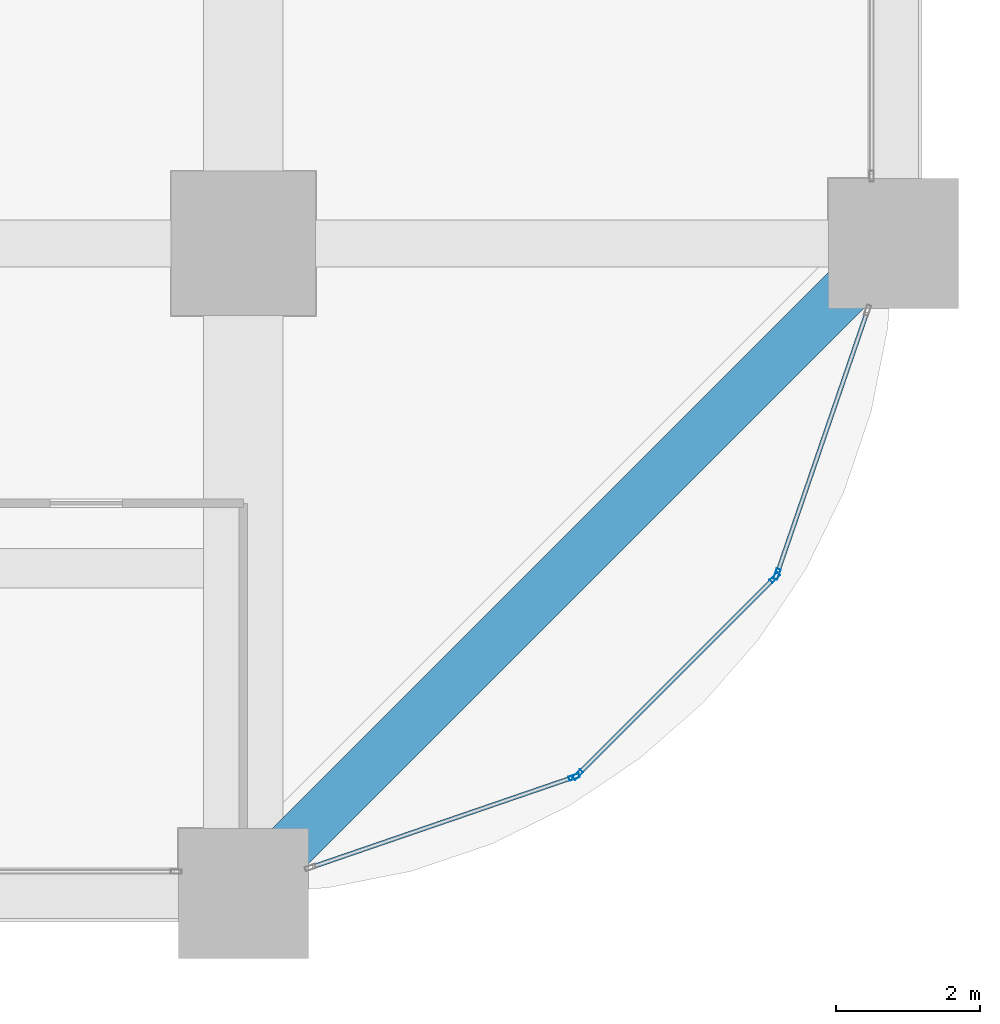
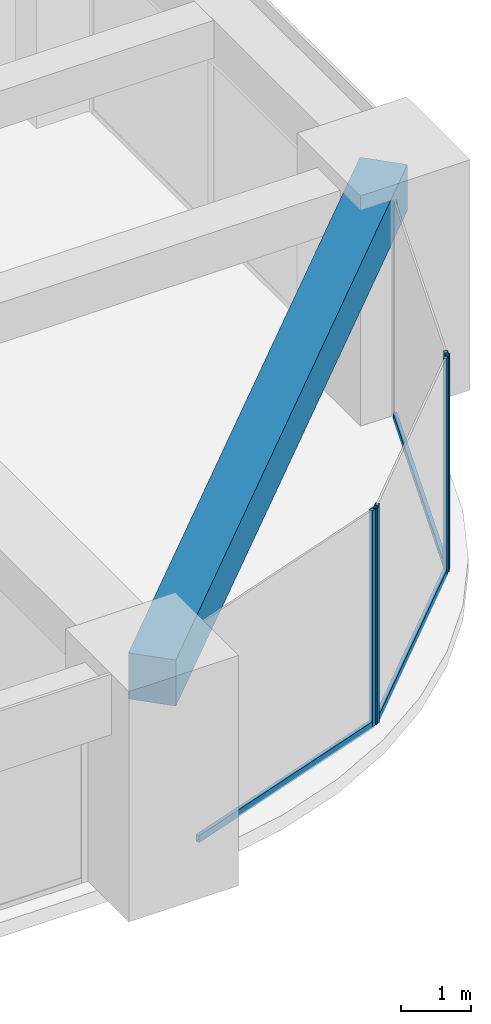
# One storey, part 17 of 41: 7 members, 1 beam, 3 elements without a shape of their own.
"""IFC4 building model written with IfcOpenShell, lengths in metres."""

from ifc_helpers import new_model, si_unit, direction, frame, origin, origin_2d, place, context, subcontext, project, spatial, rectangle, hollow_rectangle, extrude, material, material_profile, profile_set, type_object, element, aggregate, save


model = new_model("IFC4")

# Units and contexts
model_context = context("Model", 3, precision=1e-05, world=origin(), true_north=direction((0.0, 1.0)))
body_context = subcontext(model_context, "Body", "Model", "MODEL_VIEW")
ifc_project = project(units=[si_unit("LENGTHUNIT", "METRE"), si_unit("AREAUNIT", "SQUARE_METRE"), si_unit("VOLUMEUNIT", "CUBIC_METRE"), si_unit("PLANEANGLEUNIT", "RADIAN"), si_unit("MASSUNIT", "GRAM", prefix="KILO")], contexts=[model_context])

# Site, building, storey
site_placement = place(None, origin())
site = spatial("IfcSite", under=ifc_project, at=site_placement, CompositionType="ELEMENT")
building_placement = place(site_placement, origin())
building = spatial("IfcBuilding", under=site, at=building_placement, Name="Zorevar Civic Tower", CompositionType="ELEMENT")
storey_placement = place(building_placement, frame((0.0, 0.0, 101.0)))
storey = spatial("IfcBuildingStorey", under=building, at=storey_placement, Name="L24", CompositionType="ELEMENT", Elevation=101.0)

# Curtain wall, member
ifc_material_1 = material(Name="Dark grey solar-control glass in black aluminium frame", Category="aluminium")
curtain_wall_type = type_object("IfcCurtainWallType", Name="Curtain wall CW3 mid zone", PredefinedType="NOTDEFINED", material=ifc_material_1)
curtain_wall_1_placement = place(storey_placement, origin())
curtain_wall_1 = element("IfcCurtainWall", 1, at=curtain_wall_1_placement, inside=storey, type_object=curtain_wall_type, Name="CW3 L24", PredefinedType="NOTDEFINED")
ifc_material_2 = material(Name="Aluminium, black anodised", Category="aluminium")
ifc_material_profile_1 = material_profile(ifc_material_2, hollow_rectangle(XDim=0.06005859375, YDim=0.14990234375, WallThickness=0.00390625, at=origin_2d()), Name="AL 150x60x4")
ifc_profile_set_1 = profile_set([ifc_material_profile_1], Name="Aluminium, black anodised")
member_type_1 = type_object("IfcMemberType", Name="CW3 mullion AL 150x60x4", PredefinedType="MULLION", material=ifc_profile_set_1)
member_1_placement = place(storey_placement, frame((58.579345703125, 1.610595703125, 0.0), z_axis=(0.0, 0.0, 1.0), x_axis=(-0.324878466857, 0.945755772794, 0.0)))
member_1 = element("IfcMember", 2, at=member_1_placement, type_object=member_type_1, Name="CW3 mullion 2", PredefinedType="MULLION", context=body_context, shape_type="SweptSolid", body=[
    extrude(hollow_rectangle(XDim=0.06005859375, YDim=0.14990234375, WallThickness=0.00390625, at=origin_2d()), origin(), (0.0, 0.0, 1.0), 3.75),
])

# Curtain wall, members
curtain_wall_2_placement = place(storey_placement, origin())
curtain_wall_2 = element("IfcCurtainWall", 3, at=curtain_wall_2_placement, inside=storey, type_object=curtain_wall_type, Name="CW3 L24", PredefinedType="NOTDEFINED")
member_2_placement = place(storey_placement, frame((58.62890625, 1.6416015625, 0.0), z_axis=(0.0, 0.0, 1.0), x_axis=(-0.707106781187, 0.707106781187, 0.0)))
member_2 = element("IfcMember", 4, at=member_2_placement, type_object=member_type_1, Name="CW3 mullion 1", PredefinedType="MULLION", context=body_context, shape_type="SweptSolid", body=[
    extrude(hollow_rectangle(XDim=0.06005859375, YDim=0.14990234375, WallThickness=0.00390625, at=origin_2d()), origin(), (0.0, 0.0, 1.0), 3.75),
])
member_3_placement = place(storey_placement, frame((61.3583984375, 4.37109375, 0.0), z_axis=(0.0, 0.0, 1.0), x_axis=(-0.707106781187, 0.707106781187, 0.0)))
member_3 = element("IfcMember", 5, at=member_3_placement, type_object=member_type_1, Name="CW3 mullion 2", PredefinedType="MULLION", context=body_context, shape_type="SweptSolid", body=[
    extrude(hollow_rectangle(XDim=0.06005859375, YDim=0.14990234375, WallThickness=0.00390625, at=origin_2d()), origin(), (0.0, 0.0, 1.0), 3.75),
])

# Curtain wall, member
curtain_wall_3_placement = place(storey_placement, origin())
curtain_wall_3 = element("IfcCurtainWall", 6, at=curtain_wall_3_placement, inside=storey, type_object=curtain_wall_type, Name="CW3 L24", PredefinedType="NOTDEFINED")
member_4_placement = place(storey_placement, frame((61.389404296875, 4.420654296875, 0.0), z_axis=(0.0, 0.0, 1.0), x_axis=(-0.945755772794, 0.324878466857, 0.0)))
member_4 = element("IfcMember", 7, at=member_4_placement, type_object=member_type_1, Name="CW3 mullion 1", PredefinedType="MULLION", context=body_context, shape_type="SweptSolid", body=[
    extrude(hollow_rectangle(XDim=0.06005859375, YDim=0.14990234375, WallThickness=0.00390625, at=origin_2d()), origin(), (0.0, 0.0, 1.0), 3.75),
])

# Member
ifc_material_3 = material(Name="Aluminium, black anodised", Category="aluminium")
ifc_material_profile_2 = material_profile(ifc_material_3, hollow_rectangle(XDim=0.06005859375, YDim=0.1201171875, WallThickness=0.0029296875, at=origin_2d()), Name="AL 120x60x3")
ifc_profile_set_2 = profile_set([ifc_material_profile_2], Name="Aluminium, black anodised")
member_type_2 = type_object("IfcMemberType", Name="CW3 transom AL 120x60x3", PredefinedType="USERDEFINED", material=ifc_profile_set_2)
member_5_placement = place(storey_placement, frame((54.956787109375, 0.3662109375, 0.030029296875), z_axis=(0.945752620422, 0.324887643602, 0.0), x_axis=(-0.324887643602, 0.945752620422, 0.0)))
member_5 = element("IfcMember", 8, at=member_5_placement, type_object=member_type_2, Name="CW3 sill transom", ObjectType="TRANSOM", PredefinedType="USERDEFINED", context=body_context, shape_type="SweptSolid", body=[
    extrude(hollow_rectangle(XDim=0.06005859375, YDim=0.1201171875, WallThickness=0.0029296875, at=origin_2d()), origin(), (0.0, 0.0, 1.0), 3.800048828125),
])

aggregate(curtain_wall_1, [member_1, member_5])

member_6_placement = place(storey_placement, frame((58.650146484375, 1.662841796875, 0.030029296875), z_axis=(0.707106781187, 0.707106781187, 0.0), x_axis=(-0.707106781187, 0.707106781187, 0.0)))
member_6 = element("IfcMember", 9, at=member_6_placement, type_object=member_type_2, Name="CW3 sill transom", ObjectType="TRANSOM", PredefinedType="USERDEFINED", context=body_context, shape_type="SweptSolid", body=[
    extrude(hollow_rectangle(XDim=0.06005859375, YDim=0.1201171875, WallThickness=0.0029296875, at=origin_2d()), origin(), (0.0, 0.0, 1.0), 3.800048828125),
])

aggregate(curtain_wall_2, [member_2, member_3, member_6])

member_7_placement = place(storey_placement, frame((61.399169921875, 4.44921875, 0.030029296875), z_axis=(0.324887643602, 0.945752620422, 0.0), x_axis=(-0.945752620422, 0.324887643602, 0.0)))
member_7 = element("IfcMember", 10, at=member_7_placement, type_object=member_type_2, Name="CW3 sill transom", ObjectType="TRANSOM", PredefinedType="USERDEFINED", context=body_context, shape_type="SweptSolid", body=[
    extrude(hollow_rectangle(XDim=0.06005859375, YDim=0.1201171875, WallThickness=0.0029296875, at=origin_2d()), origin(), (0.0, 0.0, 1.0), 3.800048828125),
])

aggregate(curtain_wall_3, [member_4, member_7])

# Beam
ifc_material_4 = material(Name="Concrete C50/60", Category="concrete")
ifc_material_profile_3 = material_profile(ifc_material_4, rectangle(XDim=0.699951171875, YDim=0.800048828125, at=origin_2d()), Name="RC 700x800")
ifc_profile_set_3 = profile_set([ifc_material_profile_3], Name="Concrete C50/60")
beam_type = type_object("IfcBeamType", Name="Edge beam RC 700x800", PredefinedType="SPANDREL", material=ifc_profile_set_3)
beam_placement = place(storey_placement, frame((54.0, 0.0, 3.35009765625), z_axis=(0.707106781187, 0.707106781187, 0.0), x_axis=(-0.707106781187, 0.707106781187, 0.0)))
element("IfcBeam", 11, at=beam_placement, inside=storey, type_object=beam_type, Name="Corner edge beam L25", PredefinedType="SPANDREL", context=body_context, shape_type="SweptSolid", body=[
    extrude(rectangle(XDim=0.699951171875, YDim=0.800048828125, at=origin_2d()), origin(), (0.0, 0.0, 1.0), 12.72802734375),
])

save(model, "model.ifc")
